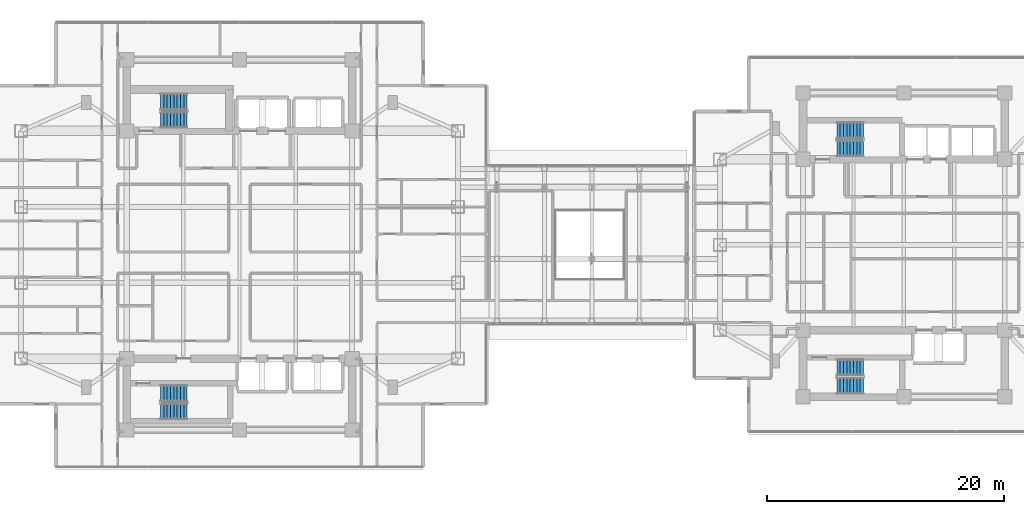
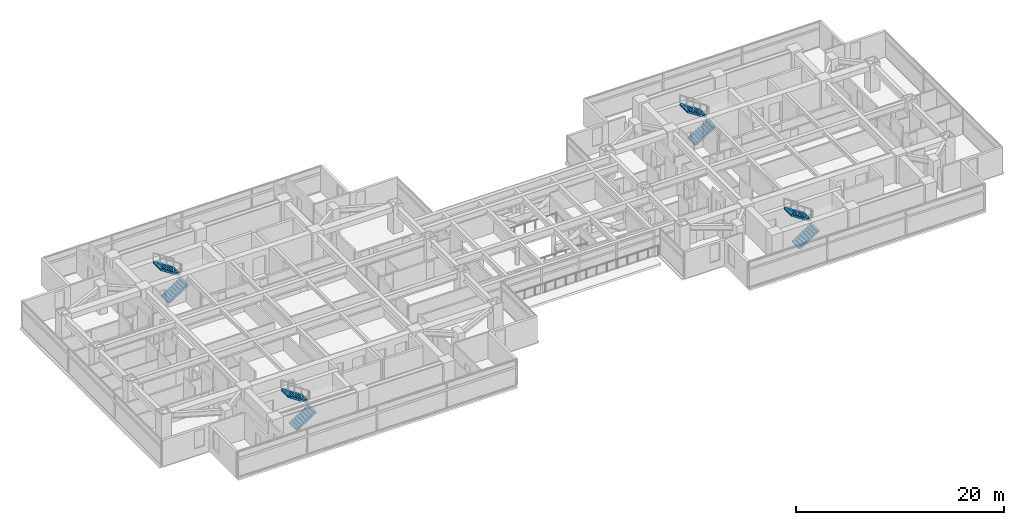
# One storey, part 21 of 27: 8 stair flights, 4 elements without a shape of their own.
"""IFC4 building model written with IfcOpenShell, lengths in metres."""

from ifc_helpers import new_model, si_unit, direction, frame, origin, place, context, subcontext, project, spatial, polyline, outline, extrude, material, type_object, element, aggregate, save


model = new_model("IFC4")

# Units and contexts
model_context = context("Model", 3, precision=1e-05, world=origin(), true_north=direction((0.0, 1.0)))
body_context = subcontext(model_context, "Body", "Model", "MODEL_VIEW")
ifc_project = project(units=[si_unit("LENGTHUNIT", "METRE"), si_unit("AREAUNIT", "SQUARE_METRE"), si_unit("VOLUMEUNIT", "CUBIC_METRE"), si_unit("PLANEANGLEUNIT", "RADIAN"), si_unit("MASSUNIT", "GRAM", prefix="KILO")], contexts=[model_context])

# Site, building, storey
site_placement = place(None, origin())
site = spatial("IfcSite", under=ifc_project, at=site_placement, CompositionType="ELEMENT")
building_placement = place(site_placement, origin())
building = spatial("IfcBuilding", under=site, at=building_placement, Name="Mirazonda Arch Towers", CompositionType="ELEMENT")
storey_placement = place(building_placement, frame((0.0, 0.0, 95.0)))
storey = spatial("IfcBuildingStorey", under=building, at=storey_placement, Name="L26", CompositionType="ELEMENT", Elevation=95.0)

# Stair, stair flights
ifc_material = material(Name="Concrete C40/50", Category="concrete")
stair_type = type_object("IfcStairType", Name="STAIR-CORE-1400", PredefinedType="HALF_TURN_STAIR", material=ifc_material)
stair_1_placement = place(storey_placement, origin())
stair_1 = element("IfcStair", 1, at=stair_1_placement, inside=storey, type_object=stair_type, Name="L26 Protected Exit Stair ST-T1N", PredefinedType="HALF_TURN_STAIR")
stair_flight_type = type_object("IfcStairFlightType", Name="FLIGHT-1400", PredefinedType="STRAIGHT", material=ifc_material)
stair_flight_1_placement = place(storey_placement, frame((13.85009765625, 38.52001953125, 0.0), z_axis=(0.0, 0.0, 1.0), x_axis=(1.0, 0.0, 0.0)))
stair_flight_1 = element("IfcStairFlight", 2, at=stair_flight_1_placement, type_object=stair_flight_type, Name="ST-T1N flight 1", NumberOfRisers=9, NumberOfTreads=8, PredefinedType="STRAIGHT", RiserHeight=0.183333333, TreadLength=0.28, context=body_context, shape_type="SweptSolid", body=[
    extrude(outline(polyline([(0.0, 0.0), (0.0, 0.183349609375), (0.280029296875, 0.183349609375), (0.280029296875, 0.36669921875), (0.56005859375, 0.36669921875), (0.56005859375, 0.550048828125), (0.840087890625, 0.550048828125), (0.840087890625, 0.7333984375), (1.1201171875, 0.7333984375), (1.1201171875, 0.916748046875), (1.39990234375, 0.916748046875), (1.39990234375, 1.10009765625), (1.679931640625, 1.10009765625), (1.679931640625, 1.283447265625), (1.9599609375, 1.283447265625), (1.9599609375, 1.466552734375), (2.239990234375, 1.466552734375), (2.239990234375, 1.64990234375), (2.239990234375, 1.275634765625), (0.2919921875, 0.0), (0.0, 0.0)])), frame((0.0, 0.699951171875, 0.0), z_axis=(0.0, -1.0, 0.0), x_axis=(1.0, 0.0, 0.0)), (0.0, 0.0, 1.0), 1.39990234375),
])
stair_flight_2_placement = place(storey_placement, frame((16.090087890625, 40.06005859375, 1.64990234375), z_axis=(0.0, 0.0, 1.0), x_axis=(-1.0, 0.0, 0.0)))
stair_flight_2 = element("IfcStairFlight", 3, at=stair_flight_2_placement, type_object=stair_flight_type, Name="ST-T1N flight 2", NumberOfRisers=9, NumberOfTreads=8, PredefinedType="STRAIGHT", RiserHeight=0.183333333, TreadLength=0.28, context=body_context, shape_type="SweptSolid", body=[
    extrude(outline(polyline([(0.0, 0.0), (0.0, 0.183349609375), (0.280029296875, 0.183349609375), (0.280029296875, 0.36669921875), (0.56005859375, 0.36669921875), (0.56005859375, 0.550048828125), (0.840087890625, 0.550048828125), (0.840087890625, 0.7333984375), (1.1201171875, 0.7333984375), (1.1201171875, 0.916748046875), (1.39990234375, 0.916748046875), (1.39990234375, 1.10009765625), (1.679931640625, 1.10009765625), (1.679931640625, 1.283447265625), (1.9599609375, 1.283447265625), (1.9599609375, 1.466552734375), (2.239990234375, 1.466552734375), (2.239990234375, 1.64990234375), (2.239990234375, 1.275634765625), (0.2919921875, 0.0), (0.0, 0.0)])), frame((0.0, 0.699951171875, 0.0), z_axis=(0.0, -1.0, 0.0), x_axis=(1.0, 0.0, 0.0)), (0.0, 0.0, 1.0), 1.39990234375),
])
aggregate(stair_1, [stair_flight_1, stair_flight_2])

stair_2_placement = place(storey_placement, origin())
stair_2 = element("IfcStair", 4, at=stair_2_placement, inside=storey, type_object=stair_type, Name="L26 Protected Exit Stair ST-T1S", PredefinedType="HALF_TURN_STAIR")
stair_flight_3_placement = place(storey_placement, frame((13.85009765625, 13.949951171875, 0.0), z_axis=(0.0, 0.0, 1.0), x_axis=(1.0, 0.0, 0.0)))
stair_flight_3 = element("IfcStairFlight", 5, at=stair_flight_3_placement, type_object=stair_flight_type, Name="ST-T1S flight 1", NumberOfRisers=9, NumberOfTreads=8, PredefinedType="STRAIGHT", RiserHeight=0.183333333, TreadLength=0.28, context=body_context, shape_type="SweptSolid", body=[
    extrude(outline(polyline([(0.0, 0.0), (0.0, 0.183349609375), (0.280029296875, 0.183349609375), (0.280029296875, 0.36669921875), (0.56005859375, 0.36669921875), (0.56005859375, 0.550048828125), (0.840087890625, 0.550048828125), (0.840087890625, 0.7333984375), (1.1201171875, 0.7333984375), (1.1201171875, 0.916748046875), (1.39990234375, 0.916748046875), (1.39990234375, 1.10009765625), (1.679931640625, 1.10009765625), (1.679931640625, 1.283447265625), (1.9599609375, 1.283447265625), (1.9599609375, 1.466552734375), (2.239990234375, 1.466552734375), (2.239990234375, 1.64990234375), (2.239990234375, 1.275634765625), (0.2919921875, 0.0), (0.0, 0.0)])), frame((0.0, 0.699951171875, 0.0), z_axis=(0.0, -1.0, 0.0), x_axis=(1.0, 0.0, 0.0)), (0.0, 0.0, 1.0), 1.39990234375),
])
stair_flight_4_placement = place(storey_placement, frame((16.090087890625, 15.489990234375, 1.64990234375), z_axis=(0.0, 0.0, 1.0), x_axis=(-1.0, 0.0, 0.0)))
stair_flight_4 = element("IfcStairFlight", 6, at=stair_flight_4_placement, type_object=stair_flight_type, Name="ST-T1S flight 2", NumberOfRisers=9, NumberOfTreads=8, PredefinedType="STRAIGHT", RiserHeight=0.183333333, TreadLength=0.28, context=body_context, shape_type="SweptSolid", body=[
    extrude(outline(polyline([(0.0, 0.0), (0.0, 0.183349609375), (0.280029296875, 0.183349609375), (0.280029296875, 0.36669921875), (0.56005859375, 0.36669921875), (0.56005859375, 0.550048828125), (0.840087890625, 0.550048828125), (0.840087890625, 0.7333984375), (1.1201171875, 0.7333984375), (1.1201171875, 0.916748046875), (1.39990234375, 0.916748046875), (1.39990234375, 1.10009765625), (1.679931640625, 1.10009765625), (1.679931640625, 1.283447265625), (1.9599609375, 1.283447265625), (1.9599609375, 1.466552734375), (2.239990234375, 1.466552734375), (2.239990234375, 1.64990234375), (2.239990234375, 1.275634765625), (0.2919921875, 0.0), (0.0, 0.0)])), frame((0.0, 0.699951171875, 0.0), z_axis=(0.0, -1.0, 0.0), x_axis=(1.0, 0.0, 0.0)), (0.0, 0.0, 1.0), 1.39990234375),
])
aggregate(stair_2, [stair_flight_3, stair_flight_4])

stair_3_placement = place(storey_placement, origin())
stair_3 = element("IfcStair", 7, at=stair_3_placement, inside=storey, type_object=stair_type, Name="L26 Protected Exit Stair ST-T2N", PredefinedType="HALF_TURN_STAIR")
stair_flight_5_placement = place(storey_placement, frame((70.85009765625, 36.1201171875, 0.0), z_axis=(0.0, 0.0, 1.0), x_axis=(1.0, 0.0, 0.0)))
stair_flight_5 = element("IfcStairFlight", 8, at=stair_flight_5_placement, type_object=stair_flight_type, Name="ST-T2N flight 1", NumberOfRisers=9, NumberOfTreads=8, PredefinedType="STRAIGHT", RiserHeight=0.183333333, TreadLength=0.28, context=body_context, shape_type="SweptSolid", body=[
    extrude(outline(polyline([(0.0, 0.0), (0.0, 0.183349609375), (0.280029296875, 0.183349609375), (0.280029296875, 0.36669921875), (0.56005859375, 0.36669921875), (0.56005859375, 0.550048828125), (0.840087890625, 0.550048828125), (0.840087890625, 0.7333984375), (1.1201171875, 0.7333984375), (1.1201171875, 0.916748046875), (1.39990234375, 0.916748046875), (1.39990234375, 1.10009765625), (1.679931640625, 1.10009765625), (1.679931640625, 1.283447265625), (1.9599609375, 1.283447265625), (1.9599609375, 1.466552734375), (2.239990234375, 1.466552734375), (2.239990234375, 1.64990234375), (2.239990234375, 1.275634765625), (0.2919921875, 0.0), (0.0, 0.0)])), frame((0.0, 0.699951171875, 0.0), z_axis=(0.0, -1.0, 0.0), x_axis=(1.0, 0.0, 0.0)), (0.0, 0.0, 1.0), 1.39990234375),
])
stair_flight_6_placement = place(storey_placement, frame((73.090087890625, 37.659912109375, 1.64990234375), z_axis=(0.0, 0.0, 1.0), x_axis=(-1.0, 0.0, 0.0)))
stair_flight_6 = element("IfcStairFlight", 9, at=stair_flight_6_placement, type_object=stair_flight_type, Name="ST-T2N flight 2", NumberOfRisers=9, NumberOfTreads=8, PredefinedType="STRAIGHT", RiserHeight=0.183333333, TreadLength=0.28, context=body_context, shape_type="SweptSolid", body=[
    extrude(outline(polyline([(0.0, 0.0), (0.0, 0.183349609375), (0.280029296875, 0.183349609375), (0.280029296875, 0.36669921875), (0.56005859375, 0.36669921875), (0.56005859375, 0.550048828125), (0.840087890625, 0.550048828125), (0.840087890625, 0.7333984375), (1.1201171875, 0.7333984375), (1.1201171875, 0.916748046875), (1.39990234375, 0.916748046875), (1.39990234375, 1.10009765625), (1.679931640625, 1.10009765625), (1.679931640625, 1.283447265625), (1.9599609375, 1.283447265625), (1.9599609375, 1.466552734375), (2.239990234375, 1.466552734375), (2.239990234375, 1.64990234375), (2.239990234375, 1.275634765625), (0.2919921875, 0.0), (0.0, 0.0)])), frame((0.0, 0.699951171875, 0.0), z_axis=(0.0, -1.0, 0.0), x_axis=(1.0, 0.0, 0.0)), (0.0, 0.0, 1.0), 1.39990234375),
])
aggregate(stair_3, [stair_flight_5, stair_flight_6])

stair_4_placement = place(storey_placement, origin())
stair_4 = element("IfcStair", 10, at=stair_4_placement, inside=storey, type_object=stair_type, Name="L26 Protected Exit Stair ST-T2S", PredefinedType="HALF_TURN_STAIR")
stair_flight_7_placement = place(storey_placement, frame((70.85009765625, 16.1201171875, 0.0), z_axis=(0.0, 0.0, 1.0), x_axis=(1.0, 0.0, 0.0)))
stair_flight_7 = element("IfcStairFlight", 11, at=stair_flight_7_placement, type_object=stair_flight_type, Name="ST-T2S flight 1", NumberOfRisers=9, NumberOfTreads=8, PredefinedType="STRAIGHT", RiserHeight=0.183333333, TreadLength=0.28, context=body_context, shape_type="SweptSolid", body=[
    extrude(outline(polyline([(0.0, 0.0), (0.0, 0.183349609375), (0.280029296875, 0.183349609375), (0.280029296875, 0.36669921875), (0.56005859375, 0.36669921875), (0.56005859375, 0.550048828125), (0.840087890625, 0.550048828125), (0.840087890625, 0.7333984375), (1.1201171875, 0.7333984375), (1.1201171875, 0.916748046875), (1.39990234375, 0.916748046875), (1.39990234375, 1.10009765625), (1.679931640625, 1.10009765625), (1.679931640625, 1.283447265625), (1.9599609375, 1.283447265625), (1.9599609375, 1.466552734375), (2.239990234375, 1.466552734375), (2.239990234375, 1.64990234375), (2.239990234375, 1.275634765625), (0.2919921875, 0.0), (0.0, 0.0)])), frame((0.0, 0.699951171875, 0.0), z_axis=(0.0, -1.0, 0.0), x_axis=(1.0, 0.0, 0.0)), (0.0, 0.0, 1.0), 1.39990234375),
])
stair_flight_8_placement = place(storey_placement, frame((73.090087890625, 17.659912109375, 1.64990234375), z_axis=(0.0, 0.0, 1.0), x_axis=(-1.0, 0.0, 0.0)))
stair_flight_8 = element("IfcStairFlight", 12, at=stair_flight_8_placement, type_object=stair_flight_type, Name="ST-T2S flight 2", NumberOfRisers=9, NumberOfTreads=8, PredefinedType="STRAIGHT", RiserHeight=0.183333333, TreadLength=0.28, context=body_context, shape_type="SweptSolid", body=[
    extrude(outline(polyline([(0.0, 0.0), (0.0, 0.183349609375), (0.280029296875, 0.183349609375), (0.280029296875, 0.36669921875), (0.56005859375, 0.36669921875), (0.56005859375, 0.550048828125), (0.840087890625, 0.550048828125), (0.840087890625, 0.7333984375), (1.1201171875, 0.7333984375), (1.1201171875, 0.916748046875), (1.39990234375, 0.916748046875), (1.39990234375, 1.10009765625), (1.679931640625, 1.10009765625), (1.679931640625, 1.283447265625), (1.9599609375, 1.283447265625), (1.9599609375, 1.466552734375), (2.239990234375, 1.466552734375), (2.239990234375, 1.64990234375), (2.239990234375, 1.275634765625), (0.2919921875, 0.0), (0.0, 0.0)])), frame((0.0, 0.699951171875, 0.0), z_axis=(0.0, -1.0, 0.0), x_axis=(1.0, 0.0, 0.0)), (0.0, 0.0, 1.0), 1.39990234375),
])
aggregate(stair_4, [stair_flight_7, stair_flight_8])

save(model, "model.ifc")
